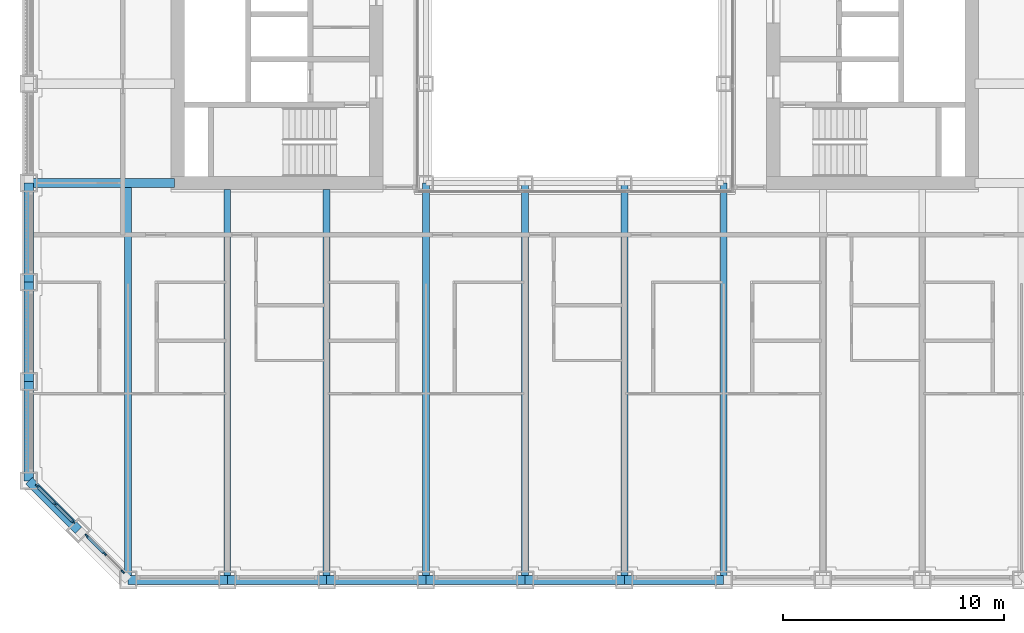
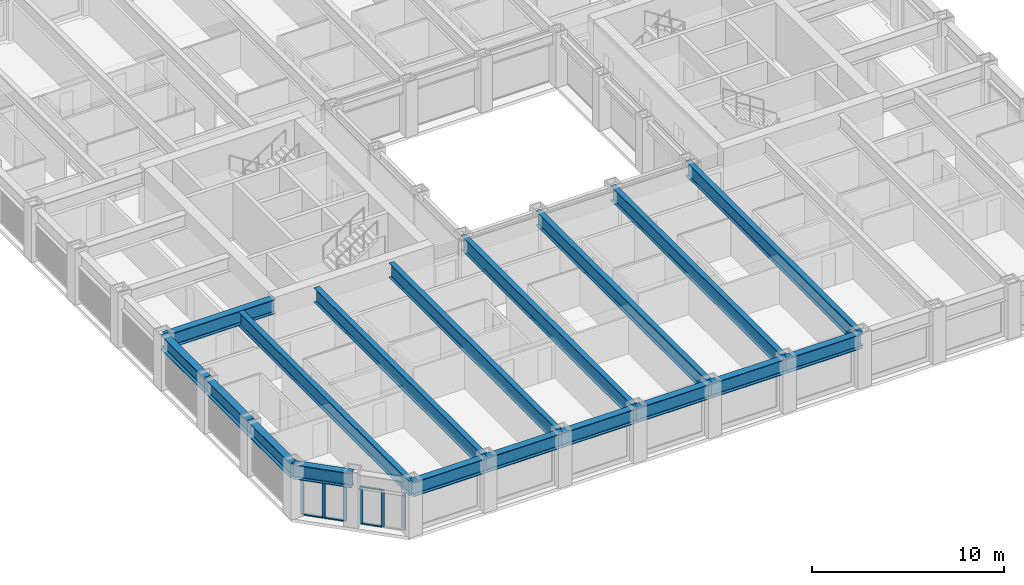
# One storey, part 2 of 21: 18 beams, 12 members, 2 elements without a shape of their own.
"""IFC4 building model written with IfcOpenShell, lengths in metres."""

from ifc_helpers import new_model, si_unit, direction, frame, origin, origin_2d, place, context, subcontext, project, spatial, rectangle, i_section, extrude, material, material_profile, profile_set, type_object, element, aggregate, save


model = new_model("IFC4")

# Units and contexts
model_context = context("Model", 3, precision=1e-05, world=origin(), true_north=direction((0.0, 1.0)))
body_context = subcontext(model_context, "Body", "Model", "MODEL_VIEW")
ifc_project = project(units=[si_unit("LENGTHUNIT", "METRE"), si_unit("AREAUNIT", "SQUARE_METRE"), si_unit("VOLUMEUNIT", "CUBIC_METRE"), si_unit("PLANEANGLEUNIT", "RADIAN"), si_unit("MASSUNIT", "GRAM", prefix="KILO")], contexts=[model_context])

# Site, building, storey
site_placement = place(None, origin())
site = spatial("IfcSite", under=ifc_project, at=site_placement, CompositionType="ELEMENT")
building_placement = place(site_placement, origin())
building = spatial("IfcBuilding", under=site, at=building_placement, Name="Msasa Ring Tower", CompositionType="ELEMENT")
storey_placement = place(building_placement, frame((0.0, 0.0, 37.0)))
storey = spatial("IfcBuildingStorey", under=building, at=storey_placement, Name="L08", CompositionType="ELEMENT", Elevation=37.0)

# Curtain wall, members
ifc_material_1 = material(Name="Aluminium curtain wall with clear glass", Category="aluminium")
curtain_wall_type = type_object("IfcCurtainWallType", Name="CW-C CHAMFER CORNER CURTAIN WALL", PredefinedType="NOTDEFINED", material=ifc_material_1)
curtain_wall_1_placement = place(storey_placement, origin())
curtain_wall_1 = element("IfcCurtainWall", 1, at=curtain_wall_1_placement, inside=storey, type_object=curtain_wall_type, Name="Chamfer corner curtain wall SW L08", PredefinedType="NOTDEFINED")
ifc_material_2 = material(Name="Aluminium mullion", Category="aluminium")
ifc_material_profile_1 = material_profile(ifc_material_2, rectangle(XDim=0.06494140625, YDim=0.179931640625, at=origin_2d()), Name="AL 65x180")
ifc_profile_set_1 = profile_set([ifc_material_profile_1], Name="Aluminium mullion")
member_type_1 = type_object("IfcMemberType", Name="CW-C MULLION 65x180", PredefinedType="MULLION", material=ifc_profile_set_1)
member_1_placement = place(storey_placement, frame((-24.369873046875, -20.48876953125, 0.0), z_axis=(0.0, 0.0, 1.0), x_axis=(0.707106781187, 0.707106781187, 0.0)))
member_1 = element("IfcMember", 2, at=member_1_placement, type_object=member_type_1, Name="CW-C mullion 1", PredefinedType="MULLION", context=body_context, shape_type="SweptSolid", body=[
    extrude(rectangle(XDim=0.06494140625, YDim=0.179931640625, at=origin_2d()), origin(), (0.0, 0.0, 1.0), 2.37890625),
])
member_2_placement = place(storey_placement, frame((-23.55419921875, -21.30419921875, 0.0), z_axis=(0.0, 0.0, 1.0), x_axis=(0.707106781187, 0.707106781187, 0.0)))
member_2 = element("IfcMember", 3, at=member_2_placement, type_object=member_type_1, Name="CW-C mullion 2", PredefinedType="MULLION", context=body_context, shape_type="SweptSolid", body=[
    extrude(rectangle(XDim=0.06494140625, YDim=0.179931640625, at=origin_2d()), origin(), (0.0, 0.0, 1.0), 2.37890625),
])
member_3_placement = place(storey_placement, frame((-22.73876953125, -22.119873046875, 0.0), z_axis=(0.0, 0.0, 1.0), x_axis=(0.707106781187, 0.707106781187, 0.0)))
member_3 = element("IfcMember", 4, at=member_3_placement, type_object=member_type_1, Name="CW-C mullion 3", PredefinedType="MULLION", context=body_context, shape_type="SweptSolid", body=[
    extrude(rectangle(XDim=0.06494140625, YDim=0.179931640625, at=origin_2d()), origin(), (0.0, 0.0, 1.0), 2.37890625),
])

curtain_wall_2_placement = place(storey_placement, origin())
curtain_wall_2 = element("IfcCurtainWall", 5, at=curtain_wall_2_placement, inside=storey, type_object=curtain_wall_type, Name="Chamfer corner curtain wall SW L08", PredefinedType="NOTDEFINED")
member_4_placement = place(storey_placement, frame((-22.119873046875, -22.73876953125, 0.0), z_axis=(0.0, 0.0, 1.0), x_axis=(0.707106781187, 0.707106781187, 0.0)))
member_4 = element("IfcMember", 6, at=member_4_placement, type_object=member_type_1, Name="CW-C mullion 1", PredefinedType="MULLION", context=body_context, shape_type="SweptSolid", body=[
    extrude(rectangle(XDim=0.06494140625, YDim=0.179931640625, at=origin_2d()), origin(), (0.0, 0.0, 1.0), 2.37890625),
])
member_5_placement = place(storey_placement, frame((-21.30419921875, -23.55419921875, 0.0), z_axis=(0.0, 0.0, 1.0), x_axis=(0.707106781187, 0.707106781187, 0.0)))
member_5 = element("IfcMember", 7, at=member_5_placement, type_object=member_type_1, Name="CW-C mullion 2", PredefinedType="MULLION", context=body_context, shape_type="SweptSolid", body=[
    extrude(rectangle(XDim=0.06494140625, YDim=0.179931640625, at=origin_2d()), origin(), (0.0, 0.0, 1.0), 2.37890625),
])
member_6_placement = place(storey_placement, frame((-20.48876953125, -24.369873046875, 0.0), z_axis=(0.0, 0.0, 1.0), x_axis=(0.707106781187, 0.707106781187, 0.0)))
member_6 = element("IfcMember", 8, at=member_6_placement, type_object=member_type_1, Name="CW-C mullion 3", PredefinedType="MULLION", context=body_context, shape_type="SweptSolid", body=[
    extrude(rectangle(XDim=0.06494140625, YDim=0.179931640625, at=origin_2d()), origin(), (0.0, 0.0, 1.0), 2.37890625),
])

# Member
ifc_material_3 = material(Name="Aluminium transom", Category="aluminium")
ifc_material_profile_2 = material_profile(ifc_material_3, rectangle(XDim=0.139892578125, YDim=0.06494140625, at=origin_2d()), Name="AL 65x140")
ifc_profile_set_2 = profile_set([ifc_material_profile_2], Name="Aluminium transom")
member_type_2 = type_object("IfcMemberType", Name="CW-C TRANSOM 65x140", PredefinedType="USERDEFINED", material=ifc_profile_set_2)
member_7_placement = place(storey_placement, frame((-24.346923828125, -20.51171875, 0.032470703125), z_axis=(0.707106781187, -0.707106781187, 0.0), x_axis=(0.707106781187, 0.707106781187, 0.0)))
member_7 = element("IfcMember", 9, at=member_7_placement, type_object=member_type_2, Name="CW-C transom 1.1", ObjectType="TRANSOM", PredefinedType="USERDEFINED", context=body_context, shape_type="SweptSolid", body=[
    extrude(rectangle(XDim=0.139892578125, YDim=0.06494140625, at=origin_2d()), origin(), (0.0, 0.0, 1.0), 1.08837890625),
])

member_8_placement = place(storey_placement, frame((-24.346923828125, -20.51171875, 2.346435546875), z_axis=(0.707106781187, -0.707106781187, 0.0), x_axis=(0.707106781187, 0.707106781187, 0.0)))
member_8 = element("IfcMember", 10, at=member_8_placement, type_object=member_type_2, Name="CW-C transom 1.2", ObjectType="TRANSOM", PredefinedType="USERDEFINED", context=body_context, shape_type="SweptSolid", body=[
    extrude(rectangle(XDim=0.139892578125, YDim=0.06494140625, at=origin_2d()), origin(), (0.0, 0.0, 1.0), 1.08837890625),
])

member_9_placement = place(storey_placement, frame((-23.53125, -21.327392578125, 0.032470703125), z_axis=(0.707106781187, -0.707106781187, 0.0), x_axis=(0.707106781187, 0.707106781187, 0.0)))
member_9 = element("IfcMember", 11, at=member_9_placement, type_object=member_type_2, Name="CW-C transom 2.1", ObjectType="TRANSOM", PredefinedType="USERDEFINED", context=body_context, shape_type="SweptSolid", body=[
    extrude(rectangle(XDim=0.139892578125, YDim=0.06494140625, at=origin_2d()), origin(), (0.0, 0.0, 1.0), 1.08837890625),
])

member_10_placement = place(storey_placement, frame((-23.53125, -21.327392578125, 2.346435546875), z_axis=(0.707106781187, -0.707106781187, 0.0), x_axis=(0.707106781187, 0.707106781187, 0.0)))
member_10 = element("IfcMember", 12, at=member_10_placement, type_object=member_type_2, Name="CW-C transom 2.2", ObjectType="TRANSOM", PredefinedType="USERDEFINED", context=body_context, shape_type="SweptSolid", body=[
    extrude(rectangle(XDim=0.139892578125, YDim=0.06494140625, at=origin_2d()), origin(), (0.0, 0.0, 1.0), 1.08837890625),
])

aggregate(curtain_wall_1, [member_1, member_2, member_3, member_7, member_8, member_9, member_10])

member_11_placement = place(storey_placement, frame((-22.096923828125, -22.76171875, 0.032470703125), z_axis=(0.707106781187, -0.707106781187, 0.0), x_axis=(0.707106781187, 0.707106781187, 0.0)))
member_11 = element("IfcMember", 13, at=member_11_placement, type_object=member_type_2, Name="CW-C transom 1.1", ObjectType="TRANSOM", PredefinedType="USERDEFINED", context=body_context, shape_type="SweptSolid", body=[
    extrude(rectangle(XDim=0.139892578125, YDim=0.06494140625, at=origin_2d()), origin(), (0.0, 0.0, 1.0), 1.08837890625),
])

member_12_placement = place(storey_placement, frame((-22.096923828125, -22.76171875, 2.346435546875), z_axis=(0.707106781187, -0.707106781187, 0.0), x_axis=(0.707106781187, 0.707106781187, 0.0)))
member_12 = element("IfcMember", 14, at=member_12_placement, type_object=member_type_2, Name="CW-C transom 1.2", ObjectType="TRANSOM", PredefinedType="USERDEFINED", context=body_context, shape_type="SweptSolid", body=[
    extrude(rectangle(XDim=0.139892578125, YDim=0.06494140625, at=origin_2d()), origin(), (0.0, 0.0, 1.0), 1.08837890625),
])

aggregate(curtain_wall_2, [member_4, member_5, member_6, member_11, member_12])

# Beams
ifc_material_4 = material(Name="Steel S355", Category="steel")
ifc_material_profile_3 = material_profile(ifc_material_4, i_section(OverallWidth=0.3076171875, OverallDepth=0.926513671875, WebThickness=0.01953125, FlangeThickness=0.031982421875, FilletRadius=0.01904296875, at=origin_2d()), Name="UB 914x305x289")
ifc_profile_set_3 = profile_set([ifc_material_profile_3], Name="Steel S355")
beam_type_1 = type_object("IfcBeamType", Name="FB3 UB 914x305x289", PredefinedType="BEAM", material=ifc_profile_set_3)
beam_1_placement = place(storey_placement, frame((-20.25, -24.75, 2.836669921875), z_axis=(0.0, 1.0, 0.0), x_axis=(-1.0, 0.0, 0.0)))
element("IfcBeam", 15, at=beam_1_placement, inside=storey, type_object=beam_type_1, Name="Floor beam S-20.25 under L09", PredefinedType="BEAM", context=body_context, shape_type="SweptSolid", body=[
    extrude(i_section(OverallWidth=0.3076171875, OverallDepth=0.926513671875, WebThickness=0.01953125, FlangeThickness=0.031982421875, FilletRadius=0.01904296875, at=origin_2d()), origin(), (0.0, 0.0, 1.0), 17.789794921875),
])
for number, where, z_axis, x_axis, name in (
    (16, (-15.75, -24.75, 2.836669921875), (0.0, 1.0, 0.0), (-1.0, 0.0, 0.0), "Floor beam S-15.75 under L09"),
    (17, (-11.25, -24.75, 2.836669921875), (0.0, 1.0, 0.0), (-1.0, 0.0, 0.0), "Floor beam S-11.25 under L09"),
):
    element("IfcBeam", number, at=place(storey_placement, frame(where, z_axis=z_axis, x_axis=x_axis)), inside=storey, type_object=beam_type_1, Name=name, PredefinedType="BEAM", context=body_context, shape_type="SweptSolid", body=[
        extrude(i_section(OverallWidth=0.3076171875, OverallDepth=0.926513671875, WebThickness=0.01953125, FlangeThickness=0.031982421875, FilletRadius=0.01904296875, at=origin_2d()), origin(), (0.0, 0.0, 1.0), 17.699951171875),
    ])
for number, where, z_axis, x_axis, name in (
    (18, (-6.75, -24.75, 2.836669921875), (0.0, 1.0, 0.0), (-1.0, 0.0, 0.0), "Floor beam S-6.75 under L09"),
    (19, (-2.25, -24.75, 2.836669921875), (0.0, 1.0, 0.0), (-1.0, 0.0, 0.0), "Floor beam S-2.25 under L09"),
    (20, (2.25, -24.75, 2.836669921875), (0.0, 1.0, 0.0), (-1.0, 0.0, 0.0), "Floor beam S+2.25 under L09"),
    (21, (6.75, -24.75, 2.836669921875), (0.0, 1.0, 0.0), (-1.0, 0.0, 0.0), "Floor beam S+6.75 under L09"),
):
    element("IfcBeam", number, at=place(storey_placement, frame(where, z_axis=z_axis, x_axis=x_axis)), inside=storey, type_object=beam_type_1, Name=name, PredefinedType="BEAM", context=body_context, shape_type="SweptSolid", body=[
        extrude(i_section(OverallWidth=0.3076171875, OverallDepth=0.926513671875, WebThickness=0.01953125, FlangeThickness=0.031982421875, FilletRadius=0.01904296875, at=origin_2d()), origin(), (0.0, 0.0, 1.0), 18.0),
    ])
ifc_material_5 = material(Name="Steel S355", Category="steel")
ifc_material_profile_4 = material_profile(ifc_material_5, i_section(OverallWidth=0.42041015625, OverallDepth=0.9208984375, WebThickness=0.021484375, FlangeThickness=0.03662109375, FilletRadius=0.024169921875, at=origin_2d()), Name="UB 914x419x388")
ifc_profile_set_4 = profile_set([ifc_material_profile_4], Name="Steel S355")
beam_type_2 = type_object("IfcBeamType", Name="GB1 UB 914x419x388", PredefinedType="BEAM", material=ifc_profile_set_4)
beam_2_placement = place(storey_placement, frame((-18.14990234375, -6.75, 2.839599609375), z_axis=(-1.0, 0.0, 0.0), x_axis=(0.0, -1.0, 0.0)))
element("IfcBeam", 22, at=beam_2_placement, inside=storey, type_object=beam_type_2, Name="Girder W -6.75 under L09", PredefinedType="BEAM", context=body_context, shape_type="SweptSolid", body=[
    extrude(i_section(OverallWidth=0.42041015625, OverallDepth=0.9208984375, WebThickness=0.021484375, FlangeThickness=0.03662109375, FilletRadius=0.024169921875, at=origin_2d()), origin(), (0.0, 0.0, 1.0), 6.60009765625),
])
ifc_material_6 = material(Name="Steel S355", Category="steel")
ifc_material_profile_5 = material_profile(ifc_material_6, i_section(OverallWidth=0.42041015625, OverallDepth=0.9208984375, WebThickness=0.021484375, FlangeThickness=0.03662109375, FilletRadius=0.024169921875, at=origin_2d()), Name="UB 914x419x388")
ifc_profile_set_5 = profile_set([ifc_material_profile_5], Name="Steel S355")
beam_type_3 = type_object("IfcBeamType", Name="SB1 UB 914x419x388", PredefinedType="SPANDREL", material=ifc_profile_set_5)
for number, where, z_axis, x_axis, name in (
    (23, (-24.75, -6.75, 2.839599609375), (0.0, -1.0, 0.0), (1.0, 0.0, 0.0), "Spandrel W-6.75 to W-11.25 under L09"),
    (24, (-24.75, -11.25, 2.839599609375), (0.0, -1.0, 0.0), (1.0, 0.0, 0.0), "Spandrel W-11.25 to W-15.75 under L09"),
    (25, (-24.75, -15.75, 2.839599609375), (0.0, -1.0, 0.0), (1.0, 0.0, 0.0), "Spandrel W-15.75 to W-20.25 under L09"),
):
    element("IfcBeam", number, at=place(storey_placement, frame(where, z_axis=z_axis, x_axis=x_axis)), inside=storey, type_object=beam_type_3, Name=name, PredefinedType="SPANDREL", context=body_context, shape_type="SweptSolid", body=[
        extrude(i_section(OverallWidth=0.42041015625, OverallDepth=0.9208984375, WebThickness=0.021484375, FlangeThickness=0.03662109375, FilletRadius=0.024169921875, at=origin_2d()), origin(), (0.0, 0.0, 1.0), 4.5),
    ])
beam_3_placement = place(storey_placement, frame((-24.75, -20.25, 2.839599609375), z_axis=(0.707106781187, -0.707106781187, 0.0), x_axis=(0.707106781187, 0.707106781187, 0.0)))
element("IfcBeam", 26, at=beam_3_placement, inside=storey, type_object=beam_type_3, Name="Spandrel W-20.25 to SW under L09", PredefinedType="SPANDREL", context=body_context, shape_type="SweptSolid", body=[
    extrude(i_section(OverallWidth=0.42041015625, OverallDepth=0.9208984375, WebThickness=0.021484375, FlangeThickness=0.03662109375, FilletRadius=0.024169921875, at=origin_2d()), origin(), (0.0, 0.0, 1.0), 3.181884765625),
])
for number, where, z_axis, x_axis, name in (
    (27, (-20.25, -24.75, 2.839599609375), (1.0, 0.0, 0.0), (0.0, 1.0, 0.0), "Spandrel S-20.25 to S-15.75 under L09"),
    (28, (-15.75, -24.75, 2.839599609375), (1.0, 0.0, 0.0), (0.0, 1.0, 0.0), "Spandrel S-15.75 to S-11.25 under L09"),
    (29, (-11.25, -24.75, 2.839599609375), (1.0, 0.0, 0.0), (0.0, 1.0, 0.0), "Spandrel S-11.25 to S-6.75 under L09"),
    (30, (-6.75, -24.75, 2.839599609375), (1.0, 0.0, 0.0), (0.0, 1.0, 0.0), "Spandrel S-6.75 to S-2.25 under L09"),
    (31, (-2.25, -24.75, 2.839599609375), (1.0, 0.0, 0.0), (0.0, 1.0, 0.0), "Spandrel S-2.25 to S+2.25 under L09"),
    (32, (2.25, -24.75, 2.839599609375), (1.0, 0.0, 0.0), (0.0, 1.0, 0.0), "Spandrel S+2.25 to S+6.75 under L09"),
):
    element("IfcBeam", number, at=place(storey_placement, frame(where, z_axis=z_axis, x_axis=x_axis)), inside=storey, type_object=beam_type_3, Name=name, PredefinedType="SPANDREL", context=body_context, shape_type="SweptSolid", body=[
        extrude(i_section(OverallWidth=0.42041015625, OverallDepth=0.9208984375, WebThickness=0.021484375, FlangeThickness=0.03662109375, FilletRadius=0.024169921875, at=origin_2d()), origin(), (0.0, 0.0, 1.0), 4.5),
    ])

save(model, "model.ifc")
